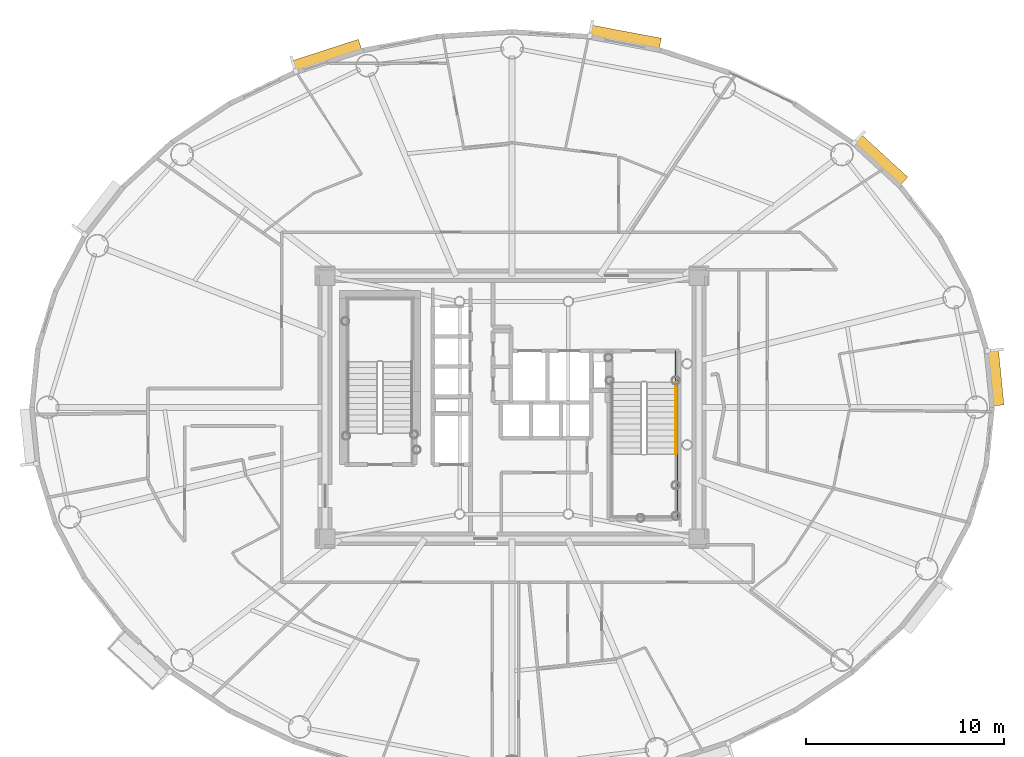
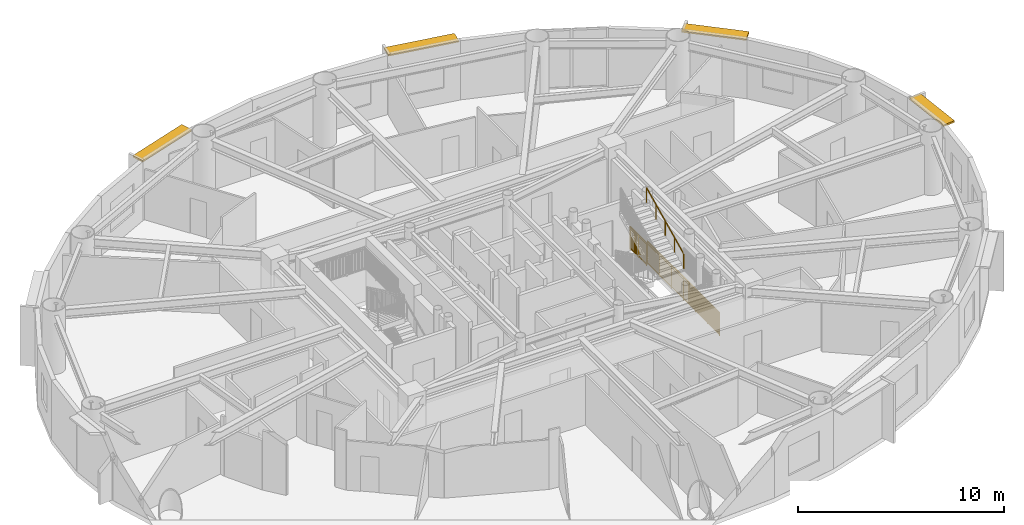
# One storey, part 16 of 16: 4 shading devices, 3 railings.
"""IFC4 building model written with IfcOpenShell, lengths in metres."""

from ifc_helpers import new_model, si_unit, direction, frame, origin, origin_2d, place, context, subcontext, project, spatial, rectangle, extrude, source, transform, mapped, material, layer, layer_set, type_object, element, save


model = new_model("IFC4")

# Units and contexts
model_context = context("Model", 3, precision=1e-05, world=origin(), true_north=direction((0.0, 1.0)))
body_context = subcontext(model_context, "Body", "Model", "MODEL_VIEW")
ifc_project = project(units=[si_unit("LENGTHUNIT", "METRE"), si_unit("AREAUNIT", "SQUARE_METRE"), si_unit("VOLUMEUNIT", "CUBIC_METRE"), si_unit("PLANEANGLEUNIT", "RADIAN"), si_unit("MASSUNIT", "GRAM", prefix="KILO")], contexts=[model_context])

# Site, building, storey
site_placement = place(None, origin())
site = spatial("IfcSite", under=ifc_project, at=site_placement, CompositionType="ELEMENT")
building_placement = place(site_placement, origin())
building = spatial("IfcBuilding", under=site, at=building_placement, Name="Linh Dai School and Residence Tower", CompositionType="ELEMENT")
storey_placement = place(building_placement, frame((0.0, 0.0, 255.300048828125)))
storey = spatial("IfcBuildingStorey", under=building, at=storey_placement, Name="L63", CompositionType="ELEMENT", Elevation=255.300048828125)

# Shading devices
ifc_material_1 = material(Name="Terracotta Ceramic Sunshade", Category="masonry")
ifc_layer = layer(ifc_material_1, 0.10009765625)
ifc_layer_set = layer_set([ifc_layer], Name="Terracotta Ceramic Sunshade")
shading_device_type = type_object("IfcShadingDeviceType", Name="SHD-TC-650", PredefinedType="USERDEFINED", material=ifc_layer_set)
shared_shape_1 = source(origin(), body_context, "Body", "SweptSolid", [
    extrude(rectangle(XDim=2.859619140625, YDim=0.64990234375, at=origin_2d()), origin(), (0.0, 0.0, 1.0), 0.10009765625),
])
shading_device_1_placement = place(storey_placement, frame((60.40966796875, 28.510498046875, 3.3798828125), z_axis=(0.0, 0.0, 1.0), x_axis=(0.100012244219, -0.99498620644, 0.0)))
element("IfcShadingDevice", 1, at=shading_device_1_placement, inside=storey, type_object=shading_device_type, Name="L63 Terracotta Horizontal Sunshade Band 01", ObjectType="SUNSHADE", PredefinedType="USERDEFINED", context=body_context, shape_type="MappedRepresentation", body=[
    mapped(shared_shape_1, transform((0.0, 0.0, 0.0), x_axis=(1.0, 0.0, 0.0), y_axis=(0.0, 1.0, 0.0), z_axis=(0.0, 0.0, 1.0), scale=1.0)),
])
shared_shape_2 = source(origin(), body_context, "Body", "SweptSolid", [
    extrude(rectangle(XDim=3.219482421875, YDim=0.64990234375, at=origin_2d()), origin(), (0.0, 0.0, 1.0), 0.10009765625),
])
shading_device_2_placement = place(storey_placement, frame((54.60498046875, 39.48779296875, 3.3798828125), z_axis=(0.0, 0.0, 1.0), x_axis=(0.737123938446, -0.675757574408, 0.0)))
element("IfcShadingDevice", 2, at=shading_device_2_placement, inside=storey, type_object=shading_device_type, Name="L63 Terracotta Horizontal Sunshade Band 05", ObjectType="SUNSHADE", PredefinedType="USERDEFINED", context=body_context, shape_type="MappedRepresentation", body=[
    mapped(shared_shape_2, transform((0.0, 0.0, 0.0), x_axis=(1.0, 0.0, 0.0), y_axis=(0.0, 1.0, 0.0), z_axis=(0.0, 0.0, 1.0), scale=1.0)),
])
shared_shape_3 = source(origin(), body_context, "Body", "SweptSolid", [
    extrude(rectangle(XDim=3.62158203125, YDim=0.64990234375, at=origin_2d()), origin(), (0.0, 0.0, 1.0), 0.10009765625),
])
shading_device_3_placement = place(storey_placement, frame((41.7080078125, 45.67724609375, 3.3798828125), z_axis=(0.0, 0.0, 1.0), x_axis=(0.982786586765, -0.18474448537, 0.0)))
element("IfcShadingDevice", 3, at=shading_device_3_placement, inside=storey, type_object=shading_device_type, Name="L63 Terracotta Horizontal Sunshade Band 09", ObjectType="SUNSHADE", PredefinedType="USERDEFINED", context=body_context, shape_type="MappedRepresentation", body=[
    mapped(shared_shape_3, transform((0.0, 0.0, 0.0), x_axis=(1.0, 0.0, 0.0), y_axis=(0.0, 1.0, 0.0), z_axis=(0.0, 0.0, 1.0), scale=1.0)),
])
shared_shape_4 = source(origin(), body_context, "Body", "SweptSolid", [
    extrude(rectangle(XDim=3.554443359375, YDim=0.64990234375, at=origin_2d()), origin(), (0.0, 0.0, 1.0), 0.10009765625),
])
shading_device_4_placement = place(storey_placement, frame((26.641845703125, 44.748779296875, 3.3798828125), z_axis=(0.0, 0.0, 1.0), x_axis=(0.951223997135, 0.308501065272, 0.0)))
element("IfcShadingDevice", 4, at=shading_device_4_placement, inside=storey, type_object=shading_device_type, Name="L63 Terracotta Horizontal Sunshade Band 13", ObjectType="SUNSHADE", PredefinedType="USERDEFINED", context=body_context, shape_type="MappedRepresentation", body=[
    mapped(shared_shape_4, transform((0.0, 0.0, 0.0), x_axis=(1.0, 0.0, 0.0), y_axis=(0.0, 1.0, 0.0), z_axis=(0.0, 0.0, 1.0), scale=1.0)),
])

# Railings
ifc_material_2 = material(Name="Brushed Stainless Steel Handrail", Category="steel")
railing_type_1 = type_object("IfcRailingType", Name="RL-ST-HANDRAIL-900", PredefinedType="HANDRAIL", material=ifc_material_2)
shared_shape_5 = source(origin(), body_context, "Body", "SweptSolid", [
    extrude(rectangle(XDim=0.048095703125, YDim=0.048095703125, at=origin_2d()), frame((0.0, 0.0, 0.8759765625), z_axis=(0.0, 0.901262522062, 0.433273431364), x_axis=(-1.0, 0.0, 0.0)), (0.0, 0.0, 1.0), 3.994384765625),
    extrude(rectangle(XDim=0.0419921875, YDim=0.0419921875, at=origin_2d()), origin(), (0.0, 0.0, 1.0), 0.8759765625),
    extrude(rectangle(XDim=0.0419921875, YDim=0.0419921875, at=origin_2d()), frame((0.0, 0.89990234375, 0.4326171875)), (0.0, 0.0, 1.0), 0.8759765625),
    extrude(rectangle(XDim=0.0419921875, YDim=0.0419921875, at=origin_2d()), frame((0.0, 1.800048828125, 0.865234375)), (0.0, 0.0, 1.0), 0.8759765625),
    extrude(rectangle(XDim=0.0419921875, YDim=0.0419921875, at=origin_2d()), frame((0.0, 2.7001953125, 1.298095703125)), (0.0, 0.0, 1.0), 0.8759765625),
    extrude(rectangle(XDim=0.0419921875, YDim=0.0419921875, at=origin_2d()), frame((0.0, 3.60009765625, 1.730712890625)), (0.0, 0.0, 1.0), 0.8759765625),
])
railing_1_placement = place(storey_placement, frame((44.27001953125, 24.64990234375, 2.019287109375)))
element("IfcRailing", 5, at=railing_1_placement, inside=storey, type_object=railing_type_1, Name="L63 ST2 stair handrail 2", PredefinedType="HANDRAIL", context=body_context, shape_type="MappedRepresentation", body=[
    mapped(shared_shape_5, transform((0.0, 0.0, 0.0), x_axis=(1.0, 0.0, 0.0), y_axis=(0.0, 1.0, 0.0), z_axis=(0.0, 0.0, 1.0), scale=1.0)),
])
ifc_material_3 = material(Name="Structural Steel S355JR", Category="steel")
railing_type_2 = type_object("IfcRailingType", Name="RL-ST-GUARD-1400", PredefinedType="GUARDRAIL", material=ifc_material_3)
shared_shape_6 = source(origin(), body_context, "Body", "SweptSolid", [
    extrude(rectangle(XDim=0.048095703125, YDim=0.048095703125, at=origin_2d()), frame((0.0, 0.0, 1.3759765625), z_axis=(0.0, -1.0, 0.0), x_axis=(1.0, 0.0, 0.0)), (0.0, 0.0, 1.0), 1.60009765625),
    extrude(rectangle(XDim=0.048095703125, YDim=0.048095703125, at=origin_2d()), frame((0.0, 0.0, 0.10009765625), z_axis=(0.0, -1.0, 0.0), x_axis=(1.0, 0.0, 0.0)), (0.0, 0.0, 1.0), 1.60009765625),
    extrude(rectangle(XDim=0.030029296875, YDim=0.030029296875, at=origin_2d()), frame((0.0, 0.0, 1.239990234375), z_axis=(0.0, -1.0, 0.0), x_axis=(1.0, 0.0, 0.0)), (0.0, 0.0, 1.0), 1.60009765625),
    extrude(rectangle(XDim=0.02001953125, YDim=0.02001953125, at=origin_2d()), frame((0.0, -0.09423828125, 0.10009765625)), (0.0, 0.0, 1.0), 1.251708984375),
    extrude(rectangle(XDim=0.02001953125, YDim=0.02001953125, at=origin_2d()), frame((0.0, -0.188232421875, 0.10009765625)), (0.0, 0.0, 1.0), 1.251708984375),
    extrude(rectangle(XDim=0.02001953125, YDim=0.02001953125, at=origin_2d()), frame((0.0, -0.282470703125, 0.10009765625)), (0.0, 0.0, 1.0), 1.251708984375),
    extrude(rectangle(XDim=0.02001953125, YDim=0.02001953125, at=origin_2d()), frame((0.0, -0.37646484375, 0.10009765625)), (0.0, 0.0, 1.0), 1.251708984375),
    extrude(rectangle(XDim=0.02001953125, YDim=0.02001953125, at=origin_2d()), frame((0.0, -0.470703125, 0.10009765625)), (0.0, 0.0, 1.0), 1.251708984375),
    extrude(rectangle(XDim=0.02001953125, YDim=0.02001953125, at=origin_2d()), frame((0.0, -0.564697265625, 0.10009765625)), (0.0, 0.0, 1.0), 1.251708984375),
    extrude(rectangle(XDim=0.02001953125, YDim=0.02001953125, at=origin_2d()), frame((0.0, -0.658935546875, 0.10009765625)), (0.0, 0.0, 1.0), 1.251708984375),
    extrude(rectangle(XDim=0.02001953125, YDim=0.02001953125, at=origin_2d()), frame((0.0, -0.7529296875, 0.10009765625)), (0.0, 0.0, 1.0), 1.251708984375),
    extrude(rectangle(XDim=0.02001953125, YDim=0.02001953125, at=origin_2d()), frame((0.0, -0.84716796875, 0.10009765625)), (0.0, 0.0, 1.0), 1.251708984375),
    extrude(rectangle(XDim=0.02001953125, YDim=0.02001953125, at=origin_2d()), frame((0.0, -0.941162109375, 0.10009765625)), (0.0, 0.0, 1.0), 1.251708984375),
    extrude(rectangle(XDim=0.02001953125, YDim=0.02001953125, at=origin_2d()), frame((0.0, -1.035400390625, 0.10009765625)), (0.0, 0.0, 1.0), 1.251708984375),
    extrude(rectangle(XDim=0.02001953125, YDim=0.02001953125, at=origin_2d()), frame((0.0, -1.12939453125, 0.10009765625)), (0.0, 0.0, 1.0), 1.251708984375),
    extrude(rectangle(XDim=0.02001953125, YDim=0.02001953125, at=origin_2d()), frame((0.0, -1.2236328125, 0.10009765625)), (0.0, 0.0, 1.0), 1.251708984375),
    extrude(rectangle(XDim=0.02001953125, YDim=0.02001953125, at=origin_2d()), frame((0.0, -1.317626953125, 0.10009765625)), (0.0, 0.0, 1.0), 1.251708984375),
    extrude(rectangle(XDim=0.02001953125, YDim=0.02001953125, at=origin_2d()), frame((0.0, -1.411865234375, 0.10009765625)), (0.0, 0.0, 1.0), 1.251708984375),
    extrude(rectangle(XDim=0.02001953125, YDim=0.02001953125, at=origin_2d()), frame((0.0, -1.505859375, 0.10009765625)), (0.0, 0.0, 1.0), 1.251708984375),
    extrude(rectangle(XDim=0.0419921875, YDim=0.0419921875, at=origin_2d()), origin(), (0.0, 0.0, 1.0), 1.3759765625),
    extrude(rectangle(XDim=0.0419921875, YDim=0.0419921875, at=origin_2d()), frame((0.0, -0.800048828125, 0.0)), (0.0, 0.0, 1.0), 1.3759765625),
    extrude(rectangle(XDim=0.0419921875, YDim=0.0419921875, at=origin_2d()), frame((0.0, -1.60009765625, 0.0)), (0.0, 0.0, 1.0), 1.3759765625),
])
railing_2_placement = place(storey_placement, frame((44.27001953125, 29.85009765625, 0.0)))
element("IfcRailing", 6, at=railing_2_placement, inside=storey, type_object=railing_type_2, Name="L63 ST2 stair guard 9", PredefinedType="GUARDRAIL", context=body_context, shape_type="MappedRepresentation", body=[
    mapped(shared_shape_6, transform((0.0, 0.0, 0.0), x_axis=(1.0, 0.0, 0.0), y_axis=(0.0, 1.0, 0.0), z_axis=(0.0, 0.0, 1.0), scale=1.0)),
])
shared_shape_7 = source(origin(), body_context, "Body", "SweptSolid", [
    extrude(rectangle(XDim=0.048095703125, YDim=0.048095703125, at=origin_2d()), frame((0.0, 0.0, 1.3759765625), z_axis=(0.0, -1.0, 0.0), x_axis=(1.0, 0.0, 0.0)), (0.0, 0.0, 1.0), 7.0),
    extrude(rectangle(XDim=0.048095703125, YDim=0.048095703125, at=origin_2d()), frame((0.0, 0.0, 0.10009765625), z_axis=(0.0, -1.0, 0.0), x_axis=(1.0, 0.0, 0.0)), (0.0, 0.0, 1.0), 7.0),
    extrude(rectangle(XDim=0.030029296875, YDim=0.030029296875, at=origin_2d()), frame((0.0, 0.0, 1.239990234375), z_axis=(0.0, -1.0, 0.0), x_axis=(1.0, 0.0, 0.0)), (0.0, 0.0, 1.0), 7.0),
    extrude(rectangle(XDim=0.02001953125, YDim=0.02001953125, at=origin_2d()), frame((0.0, -0.09716796875, 0.10009765625)), (0.0, 0.0, 1.0), 1.251708984375),
    extrude(rectangle(XDim=0.02001953125, YDim=0.02001953125, at=origin_2d()), frame((0.0, -0.1943359375, 0.10009765625)), (0.0, 0.0, 1.0), 1.251708984375),
    extrude(rectangle(XDim=0.02001953125, YDim=0.02001953125, at=origin_2d()), frame((0.0, -0.291748046875, 0.10009765625)), (0.0, 0.0, 1.0), 1.251708984375),
    extrude(rectangle(XDim=0.02001953125, YDim=0.02001953125, at=origin_2d()), frame((0.0, -0.388916015625, 0.10009765625)), (0.0, 0.0, 1.0), 1.251708984375),
    extrude(rectangle(XDim=0.02001953125, YDim=0.02001953125, at=origin_2d()), frame((0.0, -0.486083984375, 0.10009765625)), (0.0, 0.0, 1.0), 1.251708984375),
    extrude(rectangle(XDim=0.02001953125, YDim=0.02001953125, at=origin_2d()), frame((0.0, -0.583251953125, 0.10009765625)), (0.0, 0.0, 1.0), 1.251708984375),
    extrude(rectangle(XDim=0.02001953125, YDim=0.02001953125, at=origin_2d()), frame((0.0, -0.6806640625, 0.10009765625)), (0.0, 0.0, 1.0), 1.251708984375),
    extrude(rectangle(XDim=0.02001953125, YDim=0.02001953125, at=origin_2d()), frame((0.0, -0.77783203125, 0.10009765625)), (0.0, 0.0, 1.0), 1.251708984375),
    extrude(rectangle(XDim=0.02001953125, YDim=0.02001953125, at=origin_2d()), frame((0.0, -0.875, 0.10009765625)), (0.0, 0.0, 1.0), 1.251708984375),
    extrude(rectangle(XDim=0.02001953125, YDim=0.02001953125, at=origin_2d()), frame((0.0, -0.97216796875, 0.10009765625)), (0.0, 0.0, 1.0), 1.251708984375),
    extrude(rectangle(XDim=0.02001953125, YDim=0.02001953125, at=origin_2d()), frame((0.0, -1.0693359375, 0.10009765625)), (0.0, 0.0, 1.0), 1.251708984375),
    extrude(rectangle(XDim=0.02001953125, YDim=0.02001953125, at=origin_2d()), frame((0.0, -1.263916015625, 0.10009765625)), (0.0, 0.0, 1.0), 1.251708984375),
    extrude(rectangle(XDim=0.02001953125, YDim=0.02001953125, at=origin_2d()), frame((0.0, -1.361083984375, 0.10009765625)), (0.0, 0.0, 1.0), 1.251708984375),
    extrude(rectangle(XDim=0.02001953125, YDim=0.02001953125, at=origin_2d()), frame((0.0, -1.458251953125, 0.10009765625)), (0.0, 0.0, 1.0), 1.251708984375),
    extrude(rectangle(XDim=0.02001953125, YDim=0.02001953125, at=origin_2d()), frame((0.0, -1.5556640625, 0.10009765625)), (0.0, 0.0, 1.0), 1.251708984375),
    extrude(rectangle(XDim=0.02001953125, YDim=0.02001953125, at=origin_2d()), frame((0.0, -1.65283203125, 0.10009765625)), (0.0, 0.0, 1.0), 1.251708984375),
    extrude(rectangle(XDim=0.02001953125, YDim=0.02001953125, at=origin_2d()), frame((0.0, -1.75, 0.10009765625)), (0.0, 0.0, 1.0), 1.251708984375),
    extrude(rectangle(XDim=0.02001953125, YDim=0.02001953125, at=origin_2d()), frame((0.0, -1.84716796875, 0.10009765625)), (0.0, 0.0, 1.0), 1.251708984375),
    extrude(rectangle(XDim=0.02001953125, YDim=0.02001953125, at=origin_2d()), frame((0.0, -1.9443359375, 0.10009765625)), (0.0, 0.0, 1.0), 1.251708984375),
    extrude(rectangle(XDim=0.02001953125, YDim=0.02001953125, at=origin_2d()), frame((0.0, -2.041748046875, 0.10009765625)), (0.0, 0.0, 1.0), 1.251708984375),
    extrude(rectangle(XDim=0.02001953125, YDim=0.02001953125, at=origin_2d()), frame((0.0, -2.138916015625, 0.10009765625)), (0.0, 0.0, 1.0), 1.251708984375),
    extrude(rectangle(XDim=0.02001953125, YDim=0.02001953125, at=origin_2d()), frame((0.0, -2.236083984375, 0.10009765625)), (0.0, 0.0, 1.0), 1.251708984375),
    extrude(rectangle(XDim=0.02001953125, YDim=0.02001953125, at=origin_2d()), frame((0.0, -2.4306640625, 0.10009765625)), (0.0, 0.0, 1.0), 1.251708984375),
    extrude(rectangle(XDim=0.02001953125, YDim=0.02001953125, at=origin_2d()), frame((0.0, -2.52783203125, 0.10009765625)), (0.0, 0.0, 1.0), 1.251708984375),
    extrude(rectangle(XDim=0.02001953125, YDim=0.02001953125, at=origin_2d()), frame((0.0, -2.625, 0.10009765625)), (0.0, 0.0, 1.0), 1.251708984375),
    extrude(rectangle(XDim=0.02001953125, YDim=0.02001953125, at=origin_2d()), frame((0.0, -2.72216796875, 0.10009765625)), (0.0, 0.0, 1.0), 1.251708984375),
    extrude(rectangle(XDim=0.02001953125, YDim=0.02001953125, at=origin_2d()), frame((0.0, -2.8193359375, 0.10009765625)), (0.0, 0.0, 1.0), 1.251708984375),
    extrude(rectangle(XDim=0.02001953125, YDim=0.02001953125, at=origin_2d()), frame((0.0, -2.916748046875, 0.10009765625)), (0.0, 0.0, 1.0), 1.251708984375),
    extrude(rectangle(XDim=0.02001953125, YDim=0.02001953125, at=origin_2d()), frame((0.0, -3.013916015625, 0.10009765625)), (0.0, 0.0, 1.0), 1.251708984375),
    extrude(rectangle(XDim=0.02001953125, YDim=0.02001953125, at=origin_2d()), frame((0.0, -3.111083984375, 0.10009765625)), (0.0, 0.0, 1.0), 1.251708984375),
    extrude(rectangle(XDim=0.02001953125, YDim=0.02001953125, at=origin_2d()), frame((0.0, -3.208251953125, 0.10009765625)), (0.0, 0.0, 1.0), 1.251708984375),
    extrude(rectangle(XDim=0.02001953125, YDim=0.02001953125, at=origin_2d()), frame((0.0, -3.3056640625, 0.10009765625)), (0.0, 0.0, 1.0), 1.251708984375),
    extrude(rectangle(XDim=0.02001953125, YDim=0.02001953125, at=origin_2d()), frame((0.0, -3.40283203125, 0.10009765625)), (0.0, 0.0, 1.0), 1.251708984375),
    extrude(rectangle(XDim=0.02001953125, YDim=0.02001953125, at=origin_2d()), frame((0.0, -3.59716796875, 0.10009765625)), (0.0, 0.0, 1.0), 1.251708984375),
    extrude(rectangle(XDim=0.02001953125, YDim=0.02001953125, at=origin_2d()), frame((0.0, -3.6943359375, 0.10009765625)), (0.0, 0.0, 1.0), 1.251708984375),
    extrude(rectangle(XDim=0.02001953125, YDim=0.02001953125, at=origin_2d()), frame((0.0, -3.791748046875, 0.10009765625)), (0.0, 0.0, 1.0), 1.251708984375),
    extrude(rectangle(XDim=0.02001953125, YDim=0.02001953125, at=origin_2d()), frame((0.0, -3.888916015625, 0.10009765625)), (0.0, 0.0, 1.0), 1.251708984375),
    extrude(rectangle(XDim=0.02001953125, YDim=0.02001953125, at=origin_2d()), frame((0.0, -3.986083984375, 0.10009765625)), (0.0, 0.0, 1.0), 1.251708984375),
    extrude(rectangle(XDim=0.02001953125, YDim=0.02001953125, at=origin_2d()), frame((0.0, -4.083251953125, 0.10009765625)), (0.0, 0.0, 1.0), 1.251708984375),
    extrude(rectangle(XDim=0.02001953125, YDim=0.02001953125, at=origin_2d()), frame((0.0, -4.1806640625, 0.10009765625)), (0.0, 0.0, 1.0), 1.251708984375),
    extrude(rectangle(XDim=0.02001953125, YDim=0.02001953125, at=origin_2d()), frame((0.0, -4.27783203125, 0.10009765625)), (0.0, 0.0, 1.0), 1.251708984375),
    extrude(rectangle(XDim=0.02001953125, YDim=0.02001953125, at=origin_2d()), frame((0.0, -4.375, 0.10009765625)), (0.0, 0.0, 1.0), 1.251708984375),
    extrude(rectangle(XDim=0.02001953125, YDim=0.02001953125, at=origin_2d()), frame((0.0, -4.47216796875, 0.10009765625)), (0.0, 0.0, 1.0), 1.251708984375),
    extrude(rectangle(XDim=0.02001953125, YDim=0.02001953125, at=origin_2d()), frame((0.0, -4.5693359375, 0.10009765625)), (0.0, 0.0, 1.0), 1.251708984375),
    extrude(rectangle(XDim=0.02001953125, YDim=0.02001953125, at=origin_2d()), frame((0.0, -4.763916015625, 0.10009765625)), (0.0, 0.0, 1.0), 1.251708984375),
    extrude(rectangle(XDim=0.02001953125, YDim=0.02001953125, at=origin_2d()), frame((0.0, -4.861083984375, 0.10009765625)), (0.0, 0.0, 1.0), 1.251708984375),
    extrude(rectangle(XDim=0.02001953125, YDim=0.02001953125, at=origin_2d()), frame((0.0, -4.958251953125, 0.10009765625)), (0.0, 0.0, 1.0), 1.251708984375),
    extrude(rectangle(XDim=0.02001953125, YDim=0.02001953125, at=origin_2d()), frame((0.0, -5.0556640625, 0.10009765625)), (0.0, 0.0, 1.0), 1.251708984375),
    extrude(rectangle(XDim=0.02001953125, YDim=0.02001953125, at=origin_2d()), frame((0.0, -5.15283203125, 0.10009765625)), (0.0, 0.0, 1.0), 1.251708984375),
    extrude(rectangle(XDim=0.02001953125, YDim=0.02001953125, at=origin_2d()), frame((0.0, -5.25, 0.10009765625)), (0.0, 0.0, 1.0), 1.251708984375),
    extrude(rectangle(XDim=0.02001953125, YDim=0.02001953125, at=origin_2d()), frame((0.0, -5.34716796875, 0.10009765625)), (0.0, 0.0, 1.0), 1.251708984375),
    extrude(rectangle(XDim=0.02001953125, YDim=0.02001953125, at=origin_2d()), frame((0.0, -5.4443359375, 0.10009765625)), (0.0, 0.0, 1.0), 1.251708984375),
    extrude(rectangle(XDim=0.02001953125, YDim=0.02001953125, at=origin_2d()), frame((0.0, -5.541748046875, 0.10009765625)), (0.0, 0.0, 1.0), 1.251708984375),
    extrude(rectangle(XDim=0.02001953125, YDim=0.02001953125, at=origin_2d()), frame((0.0, -5.638916015625, 0.10009765625)), (0.0, 0.0, 1.0), 1.251708984375),
    extrude(rectangle(XDim=0.02001953125, YDim=0.02001953125, at=origin_2d()), frame((0.0, -5.736083984375, 0.10009765625)), (0.0, 0.0, 1.0), 1.251708984375),
    extrude(rectangle(XDim=0.02001953125, YDim=0.02001953125, at=origin_2d()), frame((0.0, -5.9306640625, 0.10009765625)), (0.0, 0.0, 1.0), 1.251708984375),
    extrude(rectangle(XDim=0.02001953125, YDim=0.02001953125, at=origin_2d()), frame((0.0, -6.02783203125, 0.10009765625)), (0.0, 0.0, 1.0), 1.251708984375),
    extrude(rectangle(XDim=0.02001953125, YDim=0.02001953125, at=origin_2d()), frame((0.0, -6.125, 0.10009765625)), (0.0, 0.0, 1.0), 1.251708984375),
    extrude(rectangle(XDim=0.02001953125, YDim=0.02001953125, at=origin_2d()), frame((0.0, -6.22216796875, 0.10009765625)), (0.0, 0.0, 1.0), 1.251708984375),
    extrude(rectangle(XDim=0.02001953125, YDim=0.02001953125, at=origin_2d()), frame((0.0, -6.3193359375, 0.10009765625)), (0.0, 0.0, 1.0), 1.251708984375),
    extrude(rectangle(XDim=0.02001953125, YDim=0.02001953125, at=origin_2d()), frame((0.0, -6.416748046875, 0.10009765625)), (0.0, 0.0, 1.0), 1.251708984375),
    extrude(rectangle(XDim=0.02001953125, YDim=0.02001953125, at=origin_2d()), frame((0.0, -6.513916015625, 0.10009765625)), (0.0, 0.0, 1.0), 1.251708984375),
    extrude(rectangle(XDim=0.02001953125, YDim=0.02001953125, at=origin_2d()), frame((0.0, -6.611083984375, 0.10009765625)), (0.0, 0.0, 1.0), 1.251708984375),
    extrude(rectangle(XDim=0.02001953125, YDim=0.02001953125, at=origin_2d()), frame((0.0, -6.708251953125, 0.10009765625)), (0.0, 0.0, 1.0), 1.251708984375),
    extrude(rectangle(XDim=0.02001953125, YDim=0.02001953125, at=origin_2d()), frame((0.0, -6.8056640625, 0.10009765625)), (0.0, 0.0, 1.0), 1.251708984375),
    extrude(rectangle(XDim=0.02001953125, YDim=0.02001953125, at=origin_2d()), frame((0.0, -6.90283203125, 0.10009765625)), (0.0, 0.0, 1.0), 1.251708984375),
    extrude(rectangle(XDim=0.0419921875, YDim=0.0419921875, at=origin_2d()), origin(), (0.0, 0.0, 1.0), 1.3759765625),
    extrude(rectangle(XDim=0.0419921875, YDim=0.0419921875, at=origin_2d()), frame((0.0, -1.166748046875, 0.0)), (0.0, 0.0, 1.0), 1.3759765625),
    extrude(rectangle(XDim=0.0419921875, YDim=0.0419921875, at=origin_2d()), frame((0.0, -2.333251953125, 0.0)), (0.0, 0.0, 1.0), 1.3759765625),
    extrude(rectangle(XDim=0.0419921875, YDim=0.0419921875, at=origin_2d()), frame((0.0, -3.5, 0.0)), (0.0, 0.0, 1.0), 1.3759765625),
    extrude(rectangle(XDim=0.0419921875, YDim=0.0419921875, at=origin_2d()), frame((0.0, -4.666748046875, 0.0)), (0.0, 0.0, 1.0), 1.3759765625),
    extrude(rectangle(XDim=0.0419921875, YDim=0.0419921875, at=origin_2d()), frame((0.0, -5.833251953125, 0.0)), (0.0, 0.0, 1.0), 1.3759765625),
    extrude(rectangle(XDim=0.0419921875, YDim=0.0419921875, at=origin_2d()), frame((0.0, -7.0, 0.0)), (0.0, 0.0, 1.0), 1.3759765625),
])
railing_3_placement = place(storey_placement, frame((44.3701171875, 28.35009765625, 0.0)))
element("IfcRailing", 7, at=railing_3_placement, inside=storey, type_object=railing_type_2, Name="L63 ST2 stair guard 11", PredefinedType="GUARDRAIL", context=body_context, shape_type="MappedRepresentation", body=[
    mapped(shared_shape_7, transform((0.0, 0.0, 0.0), x_axis=(1.0, 0.0, 0.0), y_axis=(0.0, 1.0, 0.0), z_axis=(0.0, 0.0, 1.0), scale=1.0)),
])

save(model, "model.ifc")
